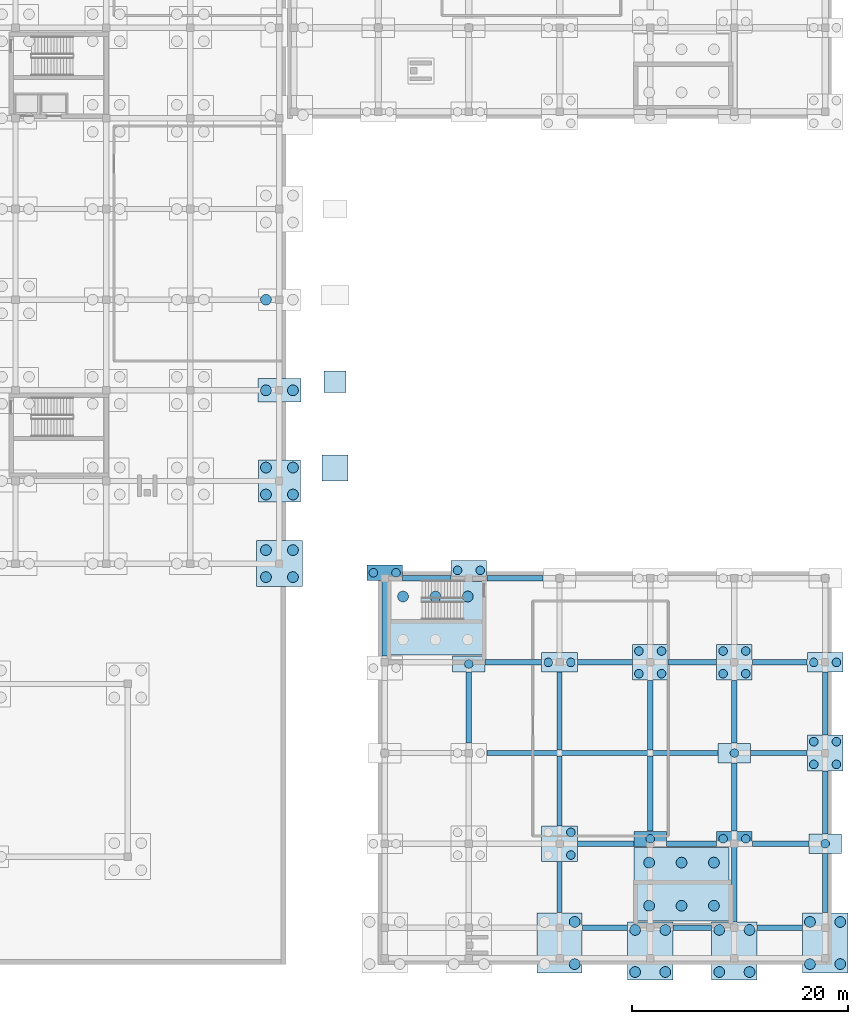
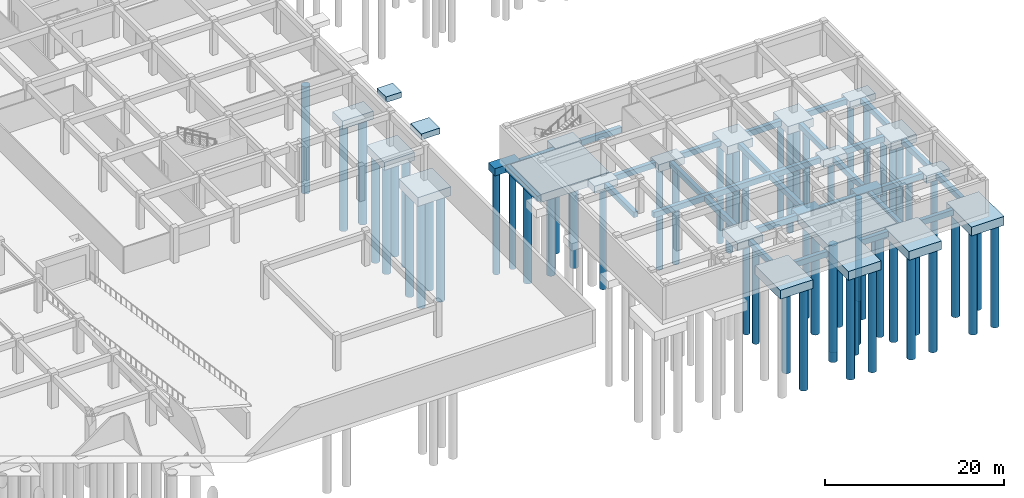
# One storey, part 5 of 35: 62 piles, 51 footings.
"""IFC4 building model written with IfcOpenShell, lengths in metres."""

from ifc_helpers import new_model, si_unit, direction, frame, origin, origin_2d, place, context, subcontext, project, spatial, rectangle, circle, extrude, material, material_profile, profile_set, type_object, element, save


model = new_model("IFC4")

# Units and contexts
model_context = context("Model", 3, precision=1e-05, world=origin(), true_north=direction((0.0, 1.0)))
body_context = subcontext(model_context, "Body", "Model", "MODEL_VIEW")
ifc_project = project(units=[si_unit("LENGTHUNIT", "METRE"), si_unit("AREAUNIT", "SQUARE_METRE"), si_unit("VOLUMEUNIT", "CUBIC_METRE"), si_unit("PLANEANGLEUNIT", "RADIAN"), si_unit("MASSUNIT", "GRAM", prefix="KILO")], contexts=[model_context])

# Site, building, storey
site_placement = place(None, origin())
site = spatial("IfcSite", under=ifc_project, at=site_placement, CompositionType="ELEMENT")
building_placement = place(site_placement, origin())
building = spatial("IfcBuilding", under=site, at=building_placement, Name="Zayran Congress Hotel", CompositionType="ELEMENT")
storey_placement = place(building_placement, frame((0.0, 0.0, -4.800048828125)))
storey = spatial("IfcBuildingStorey", under=building, at=storey_placement, Name="B1", CompositionType="ELEMENT", Elevation=-4.800048828125)

# Piles
ifc_material = material(Name="Concrete C40/50", Category="concrete")
ifc_material_profile_1 = material_profile(ifc_material, circle(Radius=0.5, at=origin_2d()), Name="PILE D1000")
ifc_profile_set_1 = profile_set([ifc_material_profile_1], Name="Concrete C40/50")
pile_type_1 = type_object("IfcPileType", Name="TP-PL-1000", PredefinedType="BORED", material=ifc_profile_set_1)
for number, where, z_axis, x_axis, name in (
    (1, (153.5, 40.10009765625, -1.599853515625), (0.0, 0.0, -1.0), (1.0, 0.0, 0.0), "PIL-0014"),
    (2, (156.5, 40.10009765625, -1.599853515625), (0.0, 0.0, -1.0), (1.0, 0.0, 0.0), "PIL-0016"),
    (3, (159.5, 40.10009765625, -1.599853515625), (0.0, 0.0, -1.0), (1.0, 0.0, 0.0), "PIL-0018"),
    (4, (176.300048828125, 11.449951171875, -1.599853515625), (0.0, 0.0, -1.0), (1.0, 0.0, 0.0), "PIL-0019"),
    (5, (176.300048828125, 15.449951171875, -1.599853515625), (0.0, 0.0, -1.0), (1.0, 0.0, 0.0), "PIL-0020"),
    (6, (179.300048828125, 11.449951171875, -1.599853515625), (0.0, 0.0, -1.0), (1.0, 0.0, 0.0), "PIL-0021"),
    (7, (179.300048828125, 15.449951171875, -1.599853515625), (0.0, 0.0, -1.0), (1.0, 0.0, 0.0), "PIL-0022"),
    (8, (182.300048828125, 11.449951171875, -1.599853515625), (0.0, 0.0, -1.0), (1.0, 0.0, 0.0), "PIL-0023"),
    (9, (182.300048828125, 15.449951171875, -1.599853515625), (0.0, 0.0, -1.0), (1.0, 0.0, 0.0), "PIL-0024"),
):
    element("IfcPile", number, at=place(storey_placement, frame(where, z_axis=z_axis, x_axis=x_axis)), inside=storey, type_object=pile_type_1, Name=name, PredefinedType="BORED", context=body_context, shape_type="SweptSolid", body=[
        extrude(circle(Radius=0.5, at=origin_2d()), origin(), (0.0, 0.0, 1.0), 14.60009765625),
    ])
for number, where, z_axis, x_axis, name in (
    (10, (140.800048828125, 41.89990234375, -1.699951171875), (0.0, 0.0, -1.0), (1.0, 0.0, 0.0), "PIL-0566"),
    (11, (143.300048828125, 41.89990234375, -1.699951171875), (0.0, 0.0, -1.0), (1.0, 0.0, 0.0), "PIL-0567"),
    (12, (140.800048828125, 44.39990234375, -1.699951171875), (0.0, 0.0, -1.0), (1.0, 0.0, 0.0), "PIL-0568"),
    (13, (143.300048828125, 44.39990234375, -1.699951171875), (0.0, 0.0, -1.0), (1.0, 0.0, 0.0), "PIL-0569"),
):
    element("IfcPile", number, at=place(storey_placement, frame(where, z_axis=z_axis, x_axis=x_axis)), inside=storey, type_object=pile_type_1, Name=name, PredefinedType="BORED", context=body_context, shape_type="SweptSolid", body=[
        extrude(circle(Radius=0.5, at=origin_2d()), origin(), (0.0, 0.0, 1.0), 14.5),
    ])
for number, where, z_axis, x_axis, name in (
    (14, (140.800048828125, 49.550048828125, -1.599853515625), (0.0, 0.0, -1.0), (1.0, 0.0, 0.0), "PIL-0570"),
    (15, (143.300048828125, 49.550048828125, -1.599853515625), (0.0, 0.0, -1.0), (1.0, 0.0, 0.0), "PIL-0571"),
    (16, (140.800048828125, 52.050048828125, -1.599853515625), (0.0, 0.0, -1.0), (1.0, 0.0, 0.0), "PIL-0572"),
    (17, (143.300048828125, 52.050048828125, -1.599853515625), (0.0, 0.0, -1.0), (1.0, 0.0, 0.0), "PIL-0573"),
    (18, (140.800048828125, 59.199951171875, -1.599853515625), (0.0, 0.0, -1.0), (1.0, 0.0, 0.0), "PIL-0574"),
    (19, (143.300048828125, 59.199951171875, -1.599853515625), (0.0, 0.0, -1.0), (1.0, 0.0, 0.0), "PIL-0575"),
    (20, (140.800048828125, 67.60009765625, -1.599853515625), (0.0, 0.0, -1.0), (1.0, 0.0, 0.0), "PIL-0576"),
):
    element("IfcPile", number, at=place(storey_placement, frame(where, z_axis=z_axis, x_axis=x_axis)), inside=storey, type_object=pile_type_1, Name=name, PredefinedType="BORED", context=body_context, shape_type="SweptSolid", body=[
        extrude(circle(Radius=0.5, at=origin_2d()), origin(), (0.0, 0.0, 1.0), 14.60009765625),
    ])
for number, where, z_axis, x_axis, name in (
    (21, (169.39990234375, 6.050048828125, -1.699951171875), (0.0, 0.0, -1.0), (1.0, 0.0, 0.0), "PIL-0636"),
    (22, (169.39990234375, 9.949951171875, -1.699951171875), (0.0, 0.0, -1.0), (1.0, 0.0, 0.0), "PIL-0638"),
    (23, (175.0, 5.31201171875, -1.699951171875), (0.0, 0.0, -1.0), (1.0, 0.0, 0.0), "PIL-0657"),
    (24, (177.800048828125, 5.31201171875, -1.699951171875), (0.0, 0.0, -1.0), (1.0, 0.0, 0.0), "PIL-0658"),
    (25, (175.0, 9.2119140625, -1.699951171875), (0.0, 0.0, -1.0), (1.0, 0.0, 0.0), "PIL-0659"),
    (26, (177.800048828125, 9.2119140625, -1.699951171875), (0.0, 0.0, -1.0), (1.0, 0.0, 0.0), "PIL-0660"),
    (27, (182.800048828125, 5.31201171875, -1.699951171875), (0.0, 0.0, -1.0), (1.0, 0.0, 0.0), "PIL-0674"),
    (28, (185.60009765625, 5.31201171875, -1.699951171875), (0.0, 0.0, -1.0), (1.0, 0.0, 0.0), "PIL-0675"),
    (29, (182.800048828125, 9.2119140625, -1.699951171875), (0.0, 0.0, -1.0), (1.0, 0.0, 0.0), "PIL-0676"),
    (30, (185.60009765625, 9.2119140625, -1.699951171875), (0.0, 0.0, -1.0), (1.0, 0.0, 0.0), "PIL-0677"),
    (31, (191.199951171875, 6.050048828125, -1.699951171875), (0.0, 0.0, -1.0), (1.0, 0.0, 0.0), "PIL-0697"),
    (32, (194.0, 6.050048828125, -1.699951171875), (0.0, 0.0, -1.0), (1.0, 0.0, 0.0), "PIL-0698"),
    (33, (191.199951171875, 9.949951171875, -1.699951171875), (0.0, 0.0, -1.0), (1.0, 0.0, 0.0), "PIL-0699"),
    (34, (194.0, 9.949951171875, -1.699951171875), (0.0, 0.0, -1.0), (1.0, 0.0, 0.0), "PIL-0700"),
):
    element("IfcPile", number, at=place(storey_placement, frame(where, z_axis=z_axis, x_axis=x_axis)), inside=storey, type_object=pile_type_1, Name=name, PredefinedType="BORED", context=body_context, shape_type="SweptSolid", body=[
        extrude(circle(Radius=0.5, at=origin_2d()), origin(), (0.0, 0.0, 1.0), 14.0),
    ])
ifc_material_profile_2 = material_profile(ifc_material, circle(Radius=0.39990234375, at=origin_2d()), Name="PILE D800")
ifc_profile_set_2 = profile_set([ifc_material_profile_2], Name="Concrete C40/50")
pile_type_2 = type_object("IfcPileType", Name="TP-PL-800", PredefinedType="BORED", material=ifc_profile_set_2)
for number, where, z_axis, x_axis, name in (
    (35, (150.75, 42.300048828125, -1.5), (0.0, 0.0, -1.0), (1.0, 0.0, 0.0), "PIL-0611"),
    (36, (152.85009765625, 42.300048828125, -1.5), (0.0, 0.0, -1.0), (1.0, 0.0, 0.0), "PIL-0612"),
    (37, (159.60009765625, 33.85009765625, -1.5), (0.0, 0.0, -1.0), (1.0, 0.0, 0.0), "PIL-0623"),
):
    element("IfcPile", number, at=place(storey_placement, frame(where, z_axis=z_axis, x_axis=x_axis)), inside=storey, type_object=pile_type_2, Name=name, PredefinedType="BORED", context=body_context, shape_type="SweptSolid", body=[
        extrude(circle(Radius=0.39990234375, at=origin_2d()), origin(), (0.0, 0.0, 1.0), 13.89990234375),
    ])
for number, where, z_axis, x_axis, name in (
    (38, (158.550048828125, 42.52490234375, -1.599853515625), (0.0, 0.0, -1.0), (1.0, 0.0, 0.0), "PIL-0624"),
    (39, (160.64990234375, 42.52490234375, -1.599853515625), (0.0, 0.0, -1.0), (1.0, 0.0, 0.0), "PIL-0625"),
    (40, (169.050048828125, 16.14990234375, -1.599853515625), (0.0, 0.0, -1.0), (1.0, 0.0, 0.0), "PIL-0640"),
    (41, (169.050048828125, 18.25, -1.599853515625), (0.0, 0.0, -1.0), (1.0, 0.0, 0.0), "PIL-0642"),
):
    element("IfcPile", number, at=place(storey_placement, frame(where, z_axis=z_axis, x_axis=x_axis)), inside=storey, type_object=pile_type_2, Name=name, PredefinedType="BORED", context=body_context, shape_type="SweptSolid", body=[
        extrude(circle(Radius=0.39990234375, at=origin_2d()), origin(), (0.0, 0.0, 1.0), 13.800048828125),
    ])
for number, where, z_axis, x_axis, name in (
    (42, (166.949951171875, 34.0, -1.5), (0.0, 0.0, -1.0), (1.0, 0.0, 0.0), "PIL-0643"),
    (43, (169.050048828125, 34.0, -1.5), (0.0, 0.0, -1.0), (1.0, 0.0, 0.0), "PIL-0644"),
    (44, (176.39990234375, 17.64990234375, -1.5), (0.0, 0.0, -1.0), (1.0, 0.0, 0.0), "PIL-0661"),
):
    element("IfcPile", number, at=place(storey_placement, frame(where, z_axis=z_axis, x_axis=x_axis)), inside=storey, type_object=pile_type_2, Name=name, PredefinedType="BORED", context=body_context, shape_type="SweptSolid", body=[
        extrude(circle(Radius=0.39990234375, at=origin_2d()), origin(), (0.0, 0.0, 1.0), 13.89990234375),
    ])
for number, where, z_axis, x_axis, name in (
    (45, (175.35009765625, 32.949951171875, -1.599853515625), (0.0, 0.0, -1.0), (1.0, 0.0, 0.0), "PIL-0662"),
    (46, (177.449951171875, 32.949951171875, -1.599853515625), (0.0, 0.0, -1.0), (1.0, 0.0, 0.0), "PIL-0663"),
    (47, (175.35009765625, 35.050048828125, -1.599853515625), (0.0, 0.0, -1.0), (1.0, 0.0, 0.0), "PIL-0664"),
    (48, (177.449951171875, 35.050048828125, -1.599853515625), (0.0, 0.0, -1.0), (1.0, 0.0, 0.0), "PIL-0665"),
):
    element("IfcPile", number, at=place(storey_placement, frame(where, z_axis=z_axis, x_axis=x_axis)), inside=storey, type_object=pile_type_2, Name=name, PredefinedType="BORED", context=body_context, shape_type="SweptSolid", body=[
        extrude(circle(Radius=0.39990234375, at=origin_2d()), origin(), (0.0, 0.0, 1.0), 13.800048828125),
    ])
for number, where, z_axis, x_axis, name in (
    (49, (183.14990234375, 17.64990234375, -1.5), (0.0, 0.0, -1.0), (1.0, 0.0, 0.0), "PIL-0678"),
    (50, (185.25, 17.64990234375, -1.5), (0.0, 0.0, -1.0), (1.0, 0.0, 0.0), "PIL-0679"),
    (51, (184.199951171875, 25.60009765625, -1.5), (0.0, 0.0, -1.0), (1.0, 0.0, 0.0), "PIL-0680"),
):
    element("IfcPile", number, at=place(storey_placement, frame(where, z_axis=z_axis, x_axis=x_axis)), inside=storey, type_object=pile_type_2, Name=name, PredefinedType="BORED", context=body_context, shape_type="SweptSolid", body=[
        extrude(circle(Radius=0.39990234375, at=origin_2d()), origin(), (0.0, 0.0, 1.0), 13.89990234375),
    ])
for number, where, z_axis, x_axis, name in (
    (52, (183.14990234375, 32.949951171875, -1.599853515625), (0.0, 0.0, -1.0), (1.0, 0.0, 0.0), "PIL-0681"),
    (53, (185.25, 32.949951171875, -1.599853515625), (0.0, 0.0, -1.0), (1.0, 0.0, 0.0), "PIL-0682"),
    (54, (183.14990234375, 35.050048828125, -1.599853515625), (0.0, 0.0, -1.0), (1.0, 0.0, 0.0), "PIL-0683"),
    (55, (185.25, 35.050048828125, -1.599853515625), (0.0, 0.0, -1.0), (1.0, 0.0, 0.0), "PIL-0684"),
):
    element("IfcPile", number, at=place(storey_placement, frame(where, z_axis=z_axis, x_axis=x_axis)), inside=storey, type_object=pile_type_2, Name=name, PredefinedType="BORED", context=body_context, shape_type="SweptSolid", body=[
        extrude(circle(Radius=0.39990234375, at=origin_2d()), origin(), (0.0, 0.0, 1.0), 13.800048828125),
    ])
pile_placement = place(storey_placement, frame((192.60009765625, 17.199951171875, -1.5), z_axis=(0.0, 0.0, -1.0), x_axis=(1.0, 0.0, 0.0)))
element("IfcPile", 56, at=pile_placement, inside=storey, type_object=pile_type_2, Name="PIL-0701", PredefinedType="BORED", context=body_context, shape_type="SweptSolid", body=[
    extrude(circle(Radius=0.39990234375, at=origin_2d()), origin(), (0.0, 0.0, 1.0), 13.89990234375),
])
for number, where, z_axis, x_axis, name in (
    (57, (191.550048828125, 24.550048828125, -1.599853515625), (0.0, 0.0, -1.0), (1.0, 0.0, 0.0), "PIL-0702"),
    (58, (193.64990234375, 24.550048828125, -1.599853515625), (0.0, 0.0, -1.0), (1.0, 0.0, 0.0), "PIL-0703"),
    (59, (191.550048828125, 26.64990234375, -1.599853515625), (0.0, 0.0, -1.0), (1.0, 0.0, 0.0), "PIL-0704"),
    (60, (193.64990234375, 26.64990234375, -1.599853515625), (0.0, 0.0, -1.0), (1.0, 0.0, 0.0), "PIL-0705"),
):
    element("IfcPile", number, at=place(storey_placement, frame(where, z_axis=z_axis, x_axis=x_axis)), inside=storey, type_object=pile_type_2, Name=name, PredefinedType="BORED", context=body_context, shape_type="SweptSolid", body=[
        extrude(circle(Radius=0.39990234375, at=origin_2d()), origin(), (0.0, 0.0, 1.0), 13.800048828125),
    ])
for number, where, z_axis, x_axis, name in (
    (61, (191.550048828125, 34.0, -1.5), (0.0, 0.0, -1.0), (1.0, 0.0, 0.0), "PIL-0706"),
    (62, (193.64990234375, 34.0, -1.5), (0.0, 0.0, -1.0), (1.0, 0.0, 0.0), "PIL-0707"),
):
    element("IfcPile", number, at=place(storey_placement, frame(where, z_axis=z_axis, x_axis=x_axis)), inside=storey, type_object=pile_type_2, Name=name, PredefinedType="BORED", context=body_context, shape_type="SweptSolid", body=[
        extrude(circle(Radius=0.39990234375, at=origin_2d()), origin(), (0.0, 0.0, 1.0), 13.89990234375),
    ])

# Footings
footing_type_1 = type_object("IfcFootingType", Name="TP-PC-06", PredefinedType="PILE_CAP", material=ifc_material)
footing_1_placement = place(storey_placement, frame((142.050048828125, 43.14990234375, -1.7998046875), z_axis=(0.0, 0.0, 1.0), x_axis=(1.0, 0.0, 0.0)))
element("IfcFooting", 63, at=footing_1_placement, inside=storey, type_object=footing_type_1, Name="FTG-CAP-168", PredefinedType="PILE_CAP", context=body_context, shape_type="SweptSolid", body=[
    extrude(rectangle(XDim=4.25, YDim=4.25, at=origin_2d()), origin(), (0.0, 0.0, 1.0), 1.199951171875),
])
footing_type_2 = type_object("IfcFootingType", Name="TP-PC-07", PredefinedType="PILE_CAP", material=ifc_material)
footing_2_placement = place(storey_placement, frame((142.050048828125, 50.800048828125, -1.699951171875), z_axis=(0.0, 0.0, 1.0), x_axis=(1.0, 0.0, 0.0)))
element("IfcFooting", 64, at=footing_2_placement, inside=storey, type_object=footing_type_2, Name="FTG-CAP-169", PredefinedType="PILE_CAP", context=body_context, shape_type="SweptSolid", body=[
    extrude(rectangle(XDim=3.89990234375, YDim=3.89990234375, at=origin_2d()), origin(), (0.0, 0.0, 1.0), 1.10009765625),
])
footing_type_3 = type_object("IfcFootingType", Name="TP-PC-08", PredefinedType="PILE_CAP", material=ifc_material)
for number, where, z_axis, x_axis, name in (
    (65, (168.0, 17.199951171875, -1.699951171875), (0.0, 0.0, 1.0), (1.0, 0.0, 0.0), "FTG-CAP-198"),
    (66, (176.39990234375, 34.0, -1.699951171875), (0.0, 0.0, 1.0), (1.0, 0.0, 0.0), "FTG-CAP-207"),
    (67, (184.199951171875, 34.0, -1.699951171875), (0.0, 0.0, 1.0), (1.0, 0.0, 0.0), "FTG-CAP-216"),
    (68, (192.60009765625, 25.60009765625, -1.699951171875), (0.0, 0.0, 1.0), (1.0, 0.0, 0.0), "FTG-CAP-225"),
):
    element("IfcFooting", number, at=place(storey_placement, frame(where, z_axis=z_axis, x_axis=x_axis)), inside=storey, type_object=footing_type_3, Name=name, PredefinedType="PILE_CAP", context=body_context, shape_type="SweptSolid", body=[
        extrude(rectangle(XDim=3.300048828125, YDim=3.300048828125, at=origin_2d()), origin(), (0.0, 0.0, 1.0), 1.10009765625),
    ])
footing_type_4 = type_object("IfcFootingType", Name="TP-PC-11", PredefinedType="PILE_CAP", material=ifc_material)
footing_3_placement = place(storey_placement, frame((142.050048828125, 59.199951171875, -1.699951171875), z_axis=(0.0, 0.0, 1.0), x_axis=(1.0, 0.0, 0.0)))
element("IfcFooting", 69, at=footing_3_placement, inside=storey, type_object=footing_type_4, Name="FTG-CAP-170", PredefinedType="PILE_CAP", context=body_context, shape_type="SweptSolid", body=[
    extrude(rectangle(XDim=4.0, YDim=2.199951171875, at=origin_2d()), origin(), (0.0, 0.0, 1.0), 1.10009765625),
])
footing_type_5 = type_object("IfcFootingType", Name="TP-PC-13", PredefinedType="PILE_CAP", material=ifc_material)
for number, where, z_axis, x_axis, name in (
    (70, (168.0, 34.0, -1.599853515625), (0.0, 0.0, 1.0), (1.0, 0.0, 0.0), "FTG-CAP-199"),
    (71, (192.60009765625, 34.0, -1.599853515625), (0.0, 0.0, 1.0), (1.0, 0.0, 0.0), "FTG-CAP-226"),
):
    element("IfcFooting", number, at=place(storey_placement, frame(where, z_axis=z_axis, x_axis=x_axis)), inside=storey, type_object=footing_type_5, Name=name, PredefinedType="PILE_CAP", context=body_context, shape_type="SweptSolid", body=[
        extrude(rectangle(XDim=3.300048828125, YDim=1.800048828125, at=origin_2d()), origin(), (0.0, 0.0, 1.0), 1.0),
    ])
footing_type_6 = type_object("IfcFootingType", Name="TP-PC-14", PredefinedType="PILE_CAP", material=ifc_material)
for number, where, z_axis, x_axis, name in (
    (72, (184.199951171875, 25.60009765625, -1.599853515625), (0.0, 0.0, 1.0), (1.0, 0.0, 0.0), "FTG-CAP-215"),
    (73, (192.60009765625, 17.199951171875, -1.599853515625), (0.0, 0.0, 1.0), (1.0, 0.0, 0.0), "FTG-CAP-224"),
):
    element("IfcFooting", number, at=place(storey_placement, frame(where, z_axis=z_axis, x_axis=x_axis)), inside=storey, type_object=footing_type_6, Name=name, PredefinedType="PILE_CAP", context=body_context, shape_type="SweptSolid", body=[
        extrude(rectangle(XDim=3.0, YDim=1.800048828125, at=origin_2d()), origin(), (0.0, 0.0, 1.0), 1.0),
    ])
footing_type_7 = type_object("IfcFootingType", Name="TP-PC-16", PredefinedType="PILE_CAP", material=ifc_material)
for number, where, z_axis, x_axis, name in (
    (74, (168.0, 8.0, -1.7998046875), (0.0, 0.0, 1.0), (1.0, 0.0, 0.0), "FTG-CAP-197"),
    (75, (192.60009765625, 8.0, -1.7998046875), (0.0, 0.0, 1.0), (1.0, 0.0, 0.0), "FTG-CAP-223"),
):
    element("IfcFooting", number, at=place(storey_placement, frame(where, z_axis=z_axis, x_axis=x_axis)), inside=storey, type_object=footing_type_7, Name=name, PredefinedType="PILE_CAP", context=body_context, shape_type="SweptSolid", body=[
        extrude(rectangle(XDim=4.199951171875, YDim=5.60009765625, at=origin_2d()), origin(), (0.0, 0.0, 1.0), 1.199951171875),
    ])
footing_type_8 = type_object("IfcFootingType", Name="TP-PF-01", PredefinedType="PAD_FOOTING", material=ifc_material)
footing_4_placement = place(storey_placement, frame((147.199951171875, 52.0, -0.7998046875), z_axis=(0.0, 0.0, 1.0), x_axis=(1.0, 0.0, 0.0)))
element("IfcFooting", 76, at=footing_4_placement, inside=storey, type_object=footing_type_8, Name="FTG-PAD-07", PredefinedType="PAD_FOOTING", context=body_context, shape_type="SweptSolid", body=[
    extrude(rectangle(XDim=2.39990234375, YDim=2.39990234375, at=origin_2d()), origin(), (0.0, 0.0, 1.0), 0.800048828125),
])
footing_type_9 = type_object("IfcFootingType", Name="TP-PF-02", PredefinedType="PAD_FOOTING", material=ifc_material)
footing_5_placement = place(storey_placement, frame((147.199951171875, 60.0, -0.75), z_axis=(0.0, 0.0, 1.0), x_axis=(1.0, 0.0, 0.0)))
element("IfcFooting", 77, at=footing_5_placement, inside=storey, type_object=footing_type_9, Name="FTG-PAD-08", PredefinedType="PAD_FOOTING", context=body_context, shape_type="SweptSolid", body=[
    extrude(rectangle(XDim=2.0, YDim=2.0, at=origin_2d()), origin(), (0.0, 0.0, 1.0), 0.75),
])
footing_type_10 = type_object("IfcFootingType", Name="TP-GB-02", PredefinedType="FOOTING_BEAM", material=ifc_material)
footing_6_placement = place(storey_placement, frame((172.199951171875, 9.39990234375, -1.349853515625), z_axis=(0.0, 0.0, 1.0), x_axis=(1.0, 0.0, 0.0)))
element("IfcFooting", 78, at=footing_6_placement, inside=storey, type_object=footing_type_10, Name="FTG-GB-054", PredefinedType="FOOTING_BEAM", context=body_context, shape_type="SweptSolid", body=[
    extrude(rectangle(XDim=4.179931640625, YDim=0.5, at=origin_2d()), origin(), (0.0, 0.0, 1.0), 0.75),
])
footing_7_placement = place(storey_placement, frame((180.300048828125, 9.39990234375, -1.349853515625), z_axis=(0.0, 0.0, 1.0), x_axis=(1.0, 0.0, 0.0)))
element("IfcFooting", 79, at=footing_7_placement, inside=storey, type_object=footing_type_10, Name="FTG-GB-055", PredefinedType="FOOTING_BEAM", context=body_context, shape_type="SweptSolid", body=[
    extrude(rectangle(XDim=3.580078125, YDim=0.5, at=origin_2d()), origin(), (0.0, 0.0, 1.0), 0.75),
])
footing_8_placement = place(storey_placement, frame((188.39990234375, 9.39990234375, -1.349853515625), z_axis=(0.0, 0.0, 1.0), x_axis=(1.0, 0.0, 0.0)))
element("IfcFooting", 80, at=footing_8_placement, inside=storey, type_object=footing_type_10, Name="FTG-GB-056", PredefinedType="FOOTING_BEAM", context=body_context, shape_type="SweptSolid", body=[
    extrude(rectangle(XDim=4.179931640625, YDim=0.5, at=origin_2d()), origin(), (0.0, 0.0, 1.0), 0.75),
])
footing_9_placement = place(storey_placement, frame((172.27490234375, 17.199951171875, -1.349853515625), z_axis=(0.0, 0.0, 1.0), x_axis=(1.0, 0.0, 0.0)))
element("IfcFooting", 81, at=footing_9_placement, inside=storey, type_object=footing_type_10, Name="FTG-GB-059", PredefinedType="FOOTING_BEAM", context=body_context, shape_type="SweptSolid", body=[
    extrude(rectangle(XDim=5.22998046875, YDim=0.5, at=origin_2d()), origin(), (0.0, 0.0, 1.0), 0.75),
])
footing_10_placement = place(storey_placement, frame((180.22509765625, 17.199951171875, -1.349853515625), z_axis=(0.0, 0.0, 1.0), x_axis=(1.0, 0.0, 0.0)))
element("IfcFooting", 82, at=footing_10_placement, inside=storey, type_object=footing_type_10, Name="FTG-GB-060", PredefinedType="FOOTING_BEAM", context=body_context, shape_type="SweptSolid", body=[
    extrude(rectangle(XDim=4.6298828125, YDim=0.5, at=origin_2d()), origin(), (0.0, 0.0, 1.0), 0.75),
])
footing_11_placement = place(storey_placement, frame((188.47509765625, 17.199951171875, -1.349853515625), z_axis=(0.0, 0.0, 1.0), x_axis=(1.0, 0.0, 0.0)))
element("IfcFooting", 83, at=footing_11_placement, inside=storey, type_object=footing_type_10, Name="FTG-GB-061", PredefinedType="FOOTING_BEAM", context=body_context, shape_type="SweptSolid", body=[
    extrude(rectangle(XDim=5.22998046875, YDim=0.5, at=origin_2d()), origin(), (0.0, 0.0, 1.0), 0.75),
])
footing_12_placement = place(storey_placement, frame((171.97509765625, 25.60009765625, -1.349853515625), z_axis=(0.0, 0.0, 1.0), x_axis=(1.0, 0.0, 0.0)))
element("IfcFooting", 84, at=footing_12_placement, inside=storey, type_object=footing_type_10, Name="FTG-GB-063", PredefinedType="FOOTING_BEAM", context=body_context, shape_type="SweptSolid", body=[
    extrude(rectangle(XDim=21.429931640625, YDim=0.5, at=origin_2d()), origin(), (0.0, 0.0, 1.0), 0.75),
])
for number, where, z_axis, x_axis, name in (
    (85, (188.324951171875, 25.60009765625, -1.349853515625), (0.0, 0.0, 1.0), (1.0, 0.0, 0.0), "FTG-GB-064"),
    (86, (163.72509765625, 34.0, -1.349853515625), (0.0, 0.0, 1.0), (1.0, 0.0, 0.0), "FTG-GB-066"),
):
    element("IfcFooting", number, at=place(storey_placement, frame(where, z_axis=z_axis, x_axis=x_axis)), inside=storey, type_object=footing_type_10, Name=name, PredefinedType="FOOTING_BEAM", context=body_context, shape_type="SweptSolid", body=[
        extrude(rectangle(XDim=5.22998046875, YDim=0.5, at=origin_2d()), origin(), (0.0, 0.0, 1.0), 0.75),
    ])
footing_13_placement = place(storey_placement, frame((172.199951171875, 34.0, -1.349853515625), z_axis=(0.0, 0.0, 1.0), x_axis=(1.0, 0.0, 0.0)))
element("IfcFooting", 87, at=footing_13_placement, inside=storey, type_object=footing_type_10, Name="FTG-GB-067", PredefinedType="FOOTING_BEAM", context=body_context, shape_type="SweptSolid", body=[
    extrude(rectangle(XDim=5.080078125, YDim=0.5, at=origin_2d()), origin(), (0.0, 0.0, 1.0), 0.75),
])
footing_14_placement = place(storey_placement, frame((180.300048828125, 34.0, -1.349853515625), z_axis=(0.0, 0.0, 1.0), x_axis=(1.0, 0.0, 0.0)))
element("IfcFooting", 88, at=footing_14_placement, inside=storey, type_object=footing_type_10, Name="FTG-GB-068", PredefinedType="FOOTING_BEAM", context=body_context, shape_type="SweptSolid", body=[
    extrude(rectangle(XDim=4.47998046875, YDim=0.5, at=origin_2d()), origin(), (0.0, 0.0, 1.0), 0.75),
])
footing_15_placement = place(storey_placement, frame((188.39990234375, 34.0, -1.349853515625), z_axis=(0.0, 0.0, 1.0), x_axis=(1.0, 0.0, 0.0)))
element("IfcFooting", 89, at=footing_15_placement, inside=storey, type_object=footing_type_10, Name="FTG-GB-069", PredefinedType="FOOTING_BEAM", context=body_context, shape_type="SweptSolid", body=[
    extrude(rectangle(XDim=5.080078125, YDim=0.5, at=origin_2d()), origin(), (0.0, 0.0, 1.0), 0.75),
])
footing_16_placement = place(storey_placement, frame((155.699951171875, 41.800048828125, -1.349853515625), z_axis=(0.0, 0.0, 1.0), x_axis=(1.0, 0.0, 0.0)))
element("IfcFooting", 90, at=footing_16_placement, inside=storey, type_object=footing_type_10, Name="FTG-GB-070", PredefinedType="FOOTING_BEAM", context=body_context, shape_type="SweptSolid", body=[
    extrude(rectangle(XDim=4.47998046875, YDim=0.5, at=origin_2d()), origin(), (0.0, 0.0, 1.0), 0.75),
])
footing_17_placement = place(storey_placement, frame((163.875, 41.800048828125, -1.349853515625), z_axis=(0.0, 0.0, 1.0), x_axis=(1.0, 0.0, 0.0)))
element("IfcFooting", 91, at=footing_17_placement, inside=storey, type_object=footing_type_10, Name="FTG-GB-071", PredefinedType="FOOTING_BEAM", context=body_context, shape_type="SweptSolid", body=[
    extrude(rectangle(XDim=5.22998046875, YDim=0.5, at=origin_2d()), origin(), (0.0, 0.0, 1.0), 0.75),
])
footing_18_placement = place(storey_placement, frame((151.800048828125, 38.10009765625, -1.349853515625), z_axis=(0.0, 0.0, 1.0), x_axis=(0.0, 1.0, 0.0)))
element("IfcFooting", 92, at=footing_18_placement, inside=storey, type_object=footing_type_10, Name="FTG-GB-078", PredefinedType="FOOTING_BEAM", context=body_context, shape_type="SweptSolid", body=[
    extrude(rectangle(XDim=6.97998046875, YDim=0.5, at=origin_2d()), origin(), (0.0, 0.0, 1.0), 0.75),
])
footing_19_placement = place(storey_placement, frame((159.60009765625, 29.800048828125, -1.349853515625), z_axis=(0.0, 0.0, 1.0), x_axis=(0.0, 1.0, 0.0)))
element("IfcFooting", 93, at=footing_19_placement, inside=storey, type_object=footing_type_10, Name="FTG-GB-081", PredefinedType="FOOTING_BEAM", context=body_context, shape_type="SweptSolid", body=[
    extrude(rectangle(XDim=6.580078125, YDim=0.5, at=origin_2d()), origin(), (0.0, 0.0, 1.0), 0.75),
])
footing_20_placement = place(storey_placement, frame((168.0, 13.175048828125, -1.349853515625), z_axis=(0.0, 0.0, 1.0), x_axis=(0.0, 1.0, 0.0)))
element("IfcFooting", 94, at=footing_20_placement, inside=storey, type_object=footing_type_10, Name="FTG-GB-082", PredefinedType="FOOTING_BEAM", context=body_context, shape_type="SweptSolid", body=[
    extrude(rectangle(XDim=4.72998046875, YDim=0.5, at=origin_2d()), origin(), (0.0, 0.0, 1.0), 0.75),
])
footing_21_placement = place(storey_placement, frame((168.0, 22.10009765625, -1.349853515625), z_axis=(0.0, 0.0, 1.0), x_axis=(0.0, 1.0, 0.0)))
element("IfcFooting", 95, at=footing_21_placement, inside=storey, type_object=footing_type_10, Name="FTG-GB-083", PredefinedType="FOOTING_BEAM", context=body_context, shape_type="SweptSolid", body=[
    extrude(rectangle(XDim=6.47998046875, YDim=0.5, at=origin_2d()), origin(), (0.0, 0.0, 1.0), 0.75),
])
footing_22_placement = place(storey_placement, frame((168.0, 29.47509765625, -1.349853515625), z_axis=(0.0, 0.0, 1.0), x_axis=(0.0, 1.0, 0.0)))
element("IfcFooting", 96, at=footing_22_placement, inside=storey, type_object=footing_type_10, Name="FTG-GB-084", PredefinedType="FOOTING_BEAM", context=body_context, shape_type="SweptSolid", body=[
    extrude(rectangle(XDim=7.22998046875, YDim=0.5, at=origin_2d()), origin(), (0.0, 0.0, 1.0), 0.75),
])
footing_23_placement = place(storey_placement, frame((176.39990234375, 21.85009765625, -1.349853515625), z_axis=(0.0, 0.0, 1.0), x_axis=(0.0, 1.0, 0.0)))
element("IfcFooting", 97, at=footing_23_placement, inside=storey, type_object=footing_type_10, Name="FTG-GB-086", PredefinedType="FOOTING_BEAM", context=body_context, shape_type="SweptSolid", body=[
    extrude(rectangle(XDim=6.97998046875, YDim=0.5, at=origin_2d()), origin(), (0.0, 0.0, 1.0), 0.75),
])
footing_24_placement = place(storey_placement, frame((176.39990234375, 29.10009765625, -1.349853515625), z_axis=(0.0, 0.0, 1.0), x_axis=(0.0, 1.0, 0.0)))
element("IfcFooting", 98, at=footing_24_placement, inside=storey, type_object=footing_type_10, Name="FTG-GB-087", PredefinedType="FOOTING_BEAM", context=body_context, shape_type="SweptSolid", body=[
    extrude(rectangle(XDim=6.47998046875, YDim=0.5, at=origin_2d()), origin(), (0.0, 0.0, 1.0), 0.75),
])
footing_25_placement = place(storey_placement, frame((184.199951171875, 13.449951171875, -1.349853515625), z_axis=(0.0, 0.0, 1.0), x_axis=(0.0, 1.0, 0.0)))
element("IfcFooting", 99, at=footing_25_placement, inside=storey, type_object=footing_type_10, Name="FTG-GB-089", PredefinedType="FOOTING_BEAM", context=body_context, shape_type="SweptSolid", body=[
    extrude(rectangle(XDim=6.97998046875, YDim=0.5, at=origin_2d()), origin(), (0.0, 0.0, 1.0), 0.75),
])
footing_26_placement = place(storey_placement, frame((184.199951171875, 21.52490234375, -1.349853515625), z_axis=(0.0, 0.0, 1.0), x_axis=(0.0, 1.0, 0.0)))
element("IfcFooting", 100, at=footing_26_placement, inside=storey, type_object=footing_type_10, Name="FTG-GB-090", PredefinedType="FOOTING_BEAM", context=body_context, shape_type="SweptSolid", body=[
    extrude(rectangle(XDim=6.330078125, YDim=0.5, at=origin_2d()), origin(), (0.0, 0.0, 1.0), 0.75),
])
footing_27_placement = place(storey_placement, frame((184.199951171875, 29.425048828125, -1.349853515625), z_axis=(0.0, 0.0, 1.0), x_axis=(0.0, 1.0, 0.0)))
element("IfcFooting", 101, at=footing_27_placement, inside=storey, type_object=footing_type_10, Name="FTG-GB-091", PredefinedType="FOOTING_BEAM", context=body_context, shape_type="SweptSolid", body=[
    extrude(rectangle(XDim=5.830078125, YDim=0.5, at=origin_2d()), origin(), (0.0, 0.0, 1.0), 0.75),
])
footing_28_placement = place(storey_placement, frame((192.60009765625, 13.550048828125, -1.349853515625), z_axis=(0.0, 0.0, 1.0), x_axis=(0.0, 1.0, 0.0)))
element("IfcFooting", 102, at=footing_28_placement, inside=storey, type_object=footing_type_10, Name="FTG-GB-093", PredefinedType="FOOTING_BEAM", context=body_context, shape_type="SweptSolid", body=[
    extrude(rectangle(XDim=5.47998046875, YDim=0.5, at=origin_2d()), origin(), (0.0, 0.0, 1.0), 0.75),
])
for number, where, z_axis, x_axis, name in (
    (103, (192.60009765625, 21.02490234375, -1.349853515625), (0.0, 0.0, 1.0), (0.0, 1.0, 0.0), "FTG-GB-094"),
    (104, (192.60009765625, 30.175048828125, -1.349853515625), (0.0, 0.0, 1.0), (0.0, 1.0, 0.0), "FTG-GB-095"),
):
    element("IfcFooting", number, at=place(storey_placement, frame(where, z_axis=z_axis, x_axis=x_axis)), inside=storey, type_object=footing_type_10, Name=name, PredefinedType="FOOTING_BEAM", context=body_context, shape_type="SweptSolid", body=[
        extrude(rectangle(XDim=5.830078125, YDim=0.5, at=origin_2d()), origin(), (0.0, 0.0, 1.0), 0.75),
    ])
footing_type_11 = type_object("IfcFootingType", Name="TP-PC-19", PredefinedType="PILE_CAP", material=ifc_material)
for number, where, z_axis, x_axis, name in (
    (105, (156.5, 38.10009765625, -1.699951171875), (0.0, 0.0, 1.0), (1.0, 0.0, 0.0), "FTG-CAP-003"),
    (106, (179.300048828125, 13.449951171875, -1.699951171875), (0.0, 0.0, 1.0), (1.0, 0.0, 0.0), "FTG-CAP-004"),
):
    element("IfcFooting", number, at=place(storey_placement, frame(where, z_axis=z_axis, x_axis=x_axis)), inside=storey, type_object=footing_type_11, Name=name, PredefinedType="PILE_CAP", context=body_context, shape_type="SweptSolid", body=[
        extrude(rectangle(XDim=8.800048828125, YDim=6.800048828125, at=origin_2d()), origin(), (0.0, 0.0, 1.0), 1.10009765625),
    ])
footing_type_12 = type_object("IfcFootingType", Name="TP-PC-08-3300-1850-1100", PredefinedType="PILE_CAP", material=ifc_material)
footing_29_placement = place(storey_placement, frame((159.60009765625, 42.52490234375, -1.699951171875), z_axis=(0.0, 0.0, 1.0), x_axis=(1.0, 0.0, 0.0)))
element("IfcFooting", 107, at=footing_29_placement, inside=storey, type_object=footing_type_12, Name="FTG-CAP-192", PredefinedType="PILE_CAP", context=body_context, shape_type="SweptSolid", body=[
    extrude(rectangle(XDim=3.300048828125, YDim=1.85009765625, at=origin_2d()), origin(), (0.0, 0.0, 1.0), 1.10009765625),
])
footing_type_13 = type_object("IfcFootingType", Name="TP-PC-14-3000-1400-1000", PredefinedType="PILE_CAP", material=ifc_material)
footing_30_placement = place(storey_placement, frame((176.39990234375, 17.64990234375, -1.599853515625), z_axis=(0.0, 0.0, 1.0), x_axis=(1.0, 0.0, 0.0)))
element("IfcFooting", 108, at=footing_30_placement, inside=storey, type_object=footing_type_13, Name="FTG-CAP-206", PredefinedType="PILE_CAP", context=body_context, shape_type="SweptSolid", body=[
    extrude(rectangle(XDim=3.0, YDim=1.39990234375, at=origin_2d()), origin(), (0.0, 0.0, 1.0), 1.0),
])
footing_type_14 = type_object("IfcFootingType", Name="TP-PC-13-3300-1400-1000", PredefinedType="PILE_CAP", material=ifc_material)
for number, where, z_axis, x_axis, name in (
    (109, (151.800048828125, 42.300048828125, -1.599853515625), (0.0, 0.0, 1.0), (1.0, 0.0, 0.0), "FTG-CAP-187"),
    (110, (184.199951171875, 17.64990234375, -1.599853515625), (0.0, 0.0, 1.0), (1.0, 0.0, 0.0), "FTG-CAP-214"),
):
    element("IfcFooting", number, at=place(storey_placement, frame(where, z_axis=z_axis, x_axis=x_axis)), inside=storey, type_object=footing_type_14, Name=name, PredefinedType="PILE_CAP", context=body_context, shape_type="SweptSolid", body=[
        extrude(rectangle(XDim=3.300048828125, YDim=1.39990234375, at=origin_2d()), origin(), (0.0, 0.0, 1.0), 1.0),
    ])
footing_type_15 = type_object("IfcFootingType", Name="TP-PC-14-3000-1500-1000", PredefinedType="PILE_CAP", material=ifc_material)
footing_31_placement = place(storey_placement, frame((159.60009765625, 33.85009765625, -1.599853515625), z_axis=(0.0, 0.0, 1.0), x_axis=(1.0, 0.0, 0.0)))
element("IfcFooting", 111, at=footing_31_placement, inside=storey, type_object=footing_type_15, Name="FTG-CAP-191", PredefinedType="PILE_CAP", context=body_context, shape_type="SweptSolid", body=[
    extrude(rectangle(XDim=3.0, YDim=1.5, at=origin_2d()), origin(), (0.0, 0.0, 1.0), 1.0),
])
footing_type_16 = type_object("IfcFootingType", Name="TP-PC-16-4200-5376", PredefinedType="PILE_CAP", material=ifc_material)
for number, where, z_axis, x_axis, name in (
    (112, (176.39990234375, 7.261962890625, -1.7998046875), (0.0, 0.0, 1.0), (1.0, 0.0, 0.0), "FTG-CAP-205"),
    (113, (184.199951171875, 7.261962890625, -1.7998046875), (0.0, 0.0, 1.0), (1.0, 0.0, 0.0), "FTG-CAP-213"),
):
    element("IfcFooting", number, at=place(storey_placement, frame(where, z_axis=z_axis, x_axis=x_axis)), inside=storey, type_object=footing_type_16, Name=name, PredefinedType="PILE_CAP", context=body_context, shape_type="SweptSolid", body=[
        extrude(rectangle(XDim=4.199951171875, YDim=5.3759765625, at=origin_2d()), origin(), (0.0, 0.0, 1.0), 1.199951171875),
    ])

save(model, "model.ifc")
